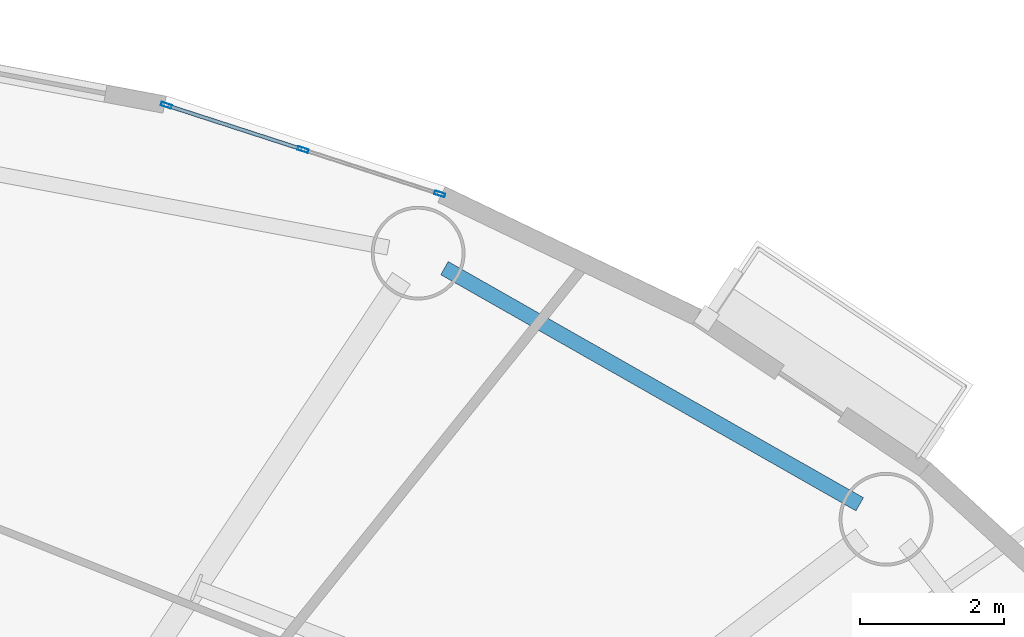
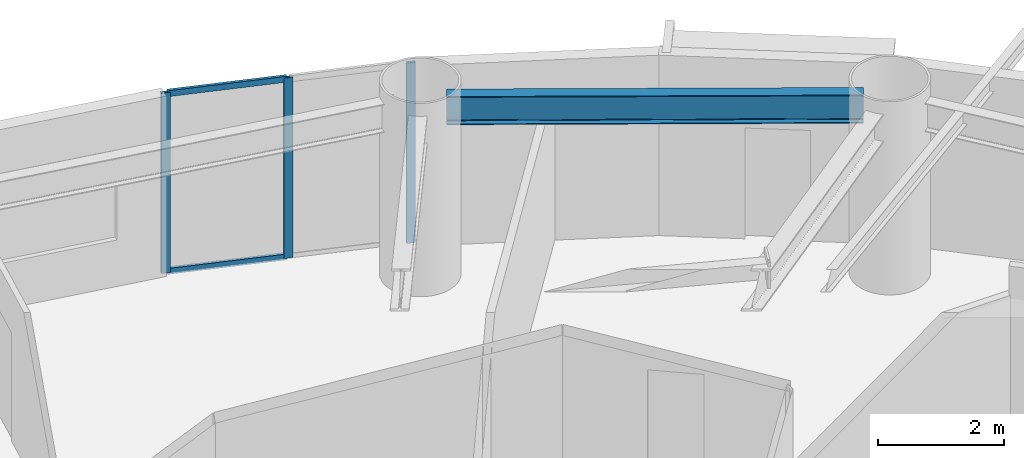
# One storey, part 5 of 21: 5 members, 1 beam, 1 element without a shape of its own.
"""IFC4 building model written with IfcOpenShell, lengths in metres."""

from ifc_helpers import new_model, si_unit, direction, frame, origin, origin_2d, place, context, subcontext, project, spatial, hollow_rectangle, i_section, extrude, source, transform, mapped, material, layer, layer_set, material_profile, profile_set, type_object, element, aggregate, save


model = new_model("IFC4")

# Units and contexts
model_context = context("Model", 3, precision=1e-05, world=origin(), true_north=direction((0.0, 1.0)))
body_context = subcontext(model_context, "Body", "Model", "MODEL_VIEW")
ifc_project = project(units=[si_unit("LENGTHUNIT", "METRE"), si_unit("AREAUNIT", "SQUARE_METRE"), si_unit("VOLUMEUNIT", "CUBIC_METRE"), si_unit("PLANEANGLEUNIT", "RADIAN"), si_unit("MASSUNIT", "GRAM", prefix="KILO")], contexts=[model_context])

# Site, building, storey
site_placement = place(None, origin())
site = spatial("IfcSite", under=ifc_project, at=site_placement, CompositionType="ELEMENT")
building_placement = place(site_placement, origin())
building = spatial("IfcBuilding", under=site, at=building_placement, Name="Linh Dai School and Residence Tower", CompositionType="ELEMENT")
storey_placement = place(building_placement, frame((0.0, 0.0, 156.14990234375)))
storey = spatial("IfcBuildingStorey", under=building, at=storey_placement, Name="L37", CompositionType="ELEMENT", Elevation=156.14990234375)

# Beam
ifc_material_1 = material(Name="Structural Steel S355JR", Category="steel")
ifc_material_profile_1 = material_profile(ifc_material_1, i_section(OverallWidth=0.2099609375, OverallDepth=0.550048828125, WebThickness=0.010986328125, FlangeThickness=0.01708984375, FilletRadius=0.02392578125, at=origin_2d()), Name="IPE 550")
ifc_profile_set_1 = profile_set([ifc_material_profile_1], Name="Structural Steel S355JR")
beam_type = type_object("IfcBeamType", Name="BM-RB55", PredefinedType="BEAM", material=ifc_profile_set_1)
beam_placement = place(storey_placement, frame((53.827392578125, 41.1494140625, 3.22509765625), z_axis=(-0.869262164011, 0.49435138335, 0.0), x_axis=(-0.49435138335, -0.869262164011, 0.0)))
element("IfcBeam", 1, at=beam_placement, inside=storey, type_object=beam_type, Name="L37 Perimeter Elliptical Ring Beam 03", PredefinedType="BEAM", context=body_context, shape_type="SweptSolid", body=[
    extrude(i_section(OverallWidth=0.2099609375, OverallDepth=0.550048828125, WebThickness=0.010986328125, FlangeThickness=0.01708984375, FilletRadius=0.02392578125, at=origin_2d()), origin(), (0.0, 0.0, 1.0), 6.62255859375),
])

# Curtain wall, members
ifc_material_2 = material(Name="Aluminium Anodised Curtain Wall", Category="aluminium")
ifc_layer = layer(ifc_material_2, 0.14990234375)
ifc_layer_set = layer_set([ifc_layer], Name="Aluminium Anodised Curtain Wall")
curtain_wall_type = type_object("IfcCurtainWallType", Name="CW-SYS-4", PredefinedType="USERDEFINED", material=ifc_layer_set)
curtain_wall_placement = place(storey_placement, origin())
curtain_wall = element("IfcCurtainWall", 2, at=curtain_wall_placement, inside=storey, type_object=curtain_wall_type, Name="L37 CW4 Curtain Wall 08", ObjectType="RIBBON CURTAIN WALL", PredefinedType="USERDEFINED")
ifc_material_3 = material(Name="Aluminium Alloy 6063-T6", Category="aluminium")
ifc_material_profile_2 = material_profile(ifc_material_3, hollow_rectangle(XDim=0.052001953125, YDim=0.14990234375, WallThickness=0.00390625, at=origin_2d()), Name="RHS 150x52x4")
ifc_profile_set_2 = profile_set([ifc_material_profile_2], Name="Aluminium Alloy 6063-T6")
member_type_1 = type_object("IfcMemberType", Name="CW-SYS-4-MUL", PredefinedType="MULLION", material=ifc_profile_set_2)
shared_shape_1 = source(origin(), body_context, "Body", "SweptSolid", [
    extrude(hollow_rectangle(XDim=0.052001953125, YDim=0.14990234375, WallThickness=0.00390625, at=origin_2d()), origin(), (0.0, 0.0, 1.0), 3.5),
])
member_1_placement = place(storey_placement, frame((44.2138671875, 46.681396484375, 0.0), z_axis=(0.0, 0.0, 1.0), x_axis=(0.308535707031, 0.951212761419, 0.0)))
member_1 = element("IfcMember", 3, at=member_1_placement, type_object=member_type_1, Name="CW4 mullion 1", PredefinedType="MULLION", context=body_context, shape_type="MappedRepresentation", body=[
    mapped(shared_shape_1, transform((0.0, 0.0, 0.0), x_axis=(1.0, 0.0, 0.0), y_axis=(0.0, 1.0, 0.0), z_axis=(0.0, 0.0, 1.0), scale=1.0)),
])
member_2_placement = place(storey_placement, frame((46.109375, 46.06640625, 0.0), z_axis=(0.0, 0.0, 1.0), x_axis=(0.308535707031, 0.951212761419, 0.0)))
member_2 = element("IfcMember", 4, at=member_2_placement, type_object=member_type_1, Name="CW4 mullion 2", PredefinedType="MULLION", context=body_context, shape_type="MappedRepresentation", body=[
    mapped(shared_shape_1, transform((0.0, 0.0, 0.0), x_axis=(1.0, 0.0, 0.0), y_axis=(0.0, 1.0, 0.0), z_axis=(0.0, 0.0, 1.0), scale=1.0)),
])
member_3_placement = place(storey_placement, frame((48.005126953125, 45.45166015625, 0.0), z_axis=(0.0, 0.0, 1.0), x_axis=(0.308535707031, 0.951212761419, 0.0)))
member_3 = element("IfcMember", 5, at=member_3_placement, type_object=member_type_1, Name="CW4 mullion 3", PredefinedType="MULLION", context=body_context, shape_type="MappedRepresentation", body=[
    mapped(shared_shape_1, transform((0.0, 0.0, 0.0), x_axis=(1.0, 0.0, 0.0), y_axis=(0.0, 1.0, 0.0), z_axis=(0.0, 0.0, 1.0), scale=1.0)),
])
ifc_material_profile_3 = material_profile(ifc_material_3, hollow_rectangle(XDim=0.052001953125, YDim=0.114990234375, WallThickness=0.00390625, at=origin_2d()), Name="RHS 115x52x4")
ifc_profile_set_3 = profile_set([ifc_material_profile_3], Name="Aluminium Alloy 6063-T6")
member_type_2 = type_object("IfcMemberType", Name="CW-SYS-4-TRN", PredefinedType="USERDEFINED", material=ifc_profile_set_3)
shared_shape_2 = source(origin(), body_context, "Body", "SweptSolid", [
    extrude(hollow_rectangle(XDim=0.052001953125, YDim=0.114990234375, WallThickness=0.00390625, at=origin_2d()), origin(), (0.0, 0.0, 1.0), 1.94091796875),
])
member_4_placement = place(storey_placement, frame((44.238525390625, 46.67333984375, 0.026123046875), z_axis=(0.951205857385, -0.308556991294, 0.0), x_axis=(0.308556991294, 0.951205857385, 0.0)))
member_4 = element("IfcMember", 6, at=member_4_placement, type_object=member_type_2, Name="CW4 transom 1.1", ObjectType="TRANSOM", PredefinedType="USERDEFINED", context=body_context, shape_type="MappedRepresentation", body=[
    mapped(shared_shape_2, transform((0.0, 0.0, 0.0), x_axis=(1.0, 0.0, 0.0), y_axis=(0.0, 1.0, 0.0), z_axis=(0.0, 0.0, 1.0), scale=1.0)),
])
member_5_placement = place(storey_placement, frame((44.238525390625, 46.67333984375, 3.47412109375), z_axis=(0.951205857385, -0.308556991294, 0.0), x_axis=(0.308556991294, 0.951205857385, 0.0)))
member_5 = element("IfcMember", 7, at=member_5_placement, type_object=member_type_2, Name="CW4 transom 1.2", ObjectType="TRANSOM", PredefinedType="USERDEFINED", context=body_context, shape_type="MappedRepresentation", body=[
    mapped(shared_shape_2, transform((0.0, 0.0, 0.0), x_axis=(1.0, 0.0, 0.0), y_axis=(0.0, 1.0, 0.0), z_axis=(0.0, 0.0, 1.0), scale=1.0)),
])
aggregate(curtain_wall, [member_1, member_2, member_3, member_4, member_5])

save(model, "model.ifc")
